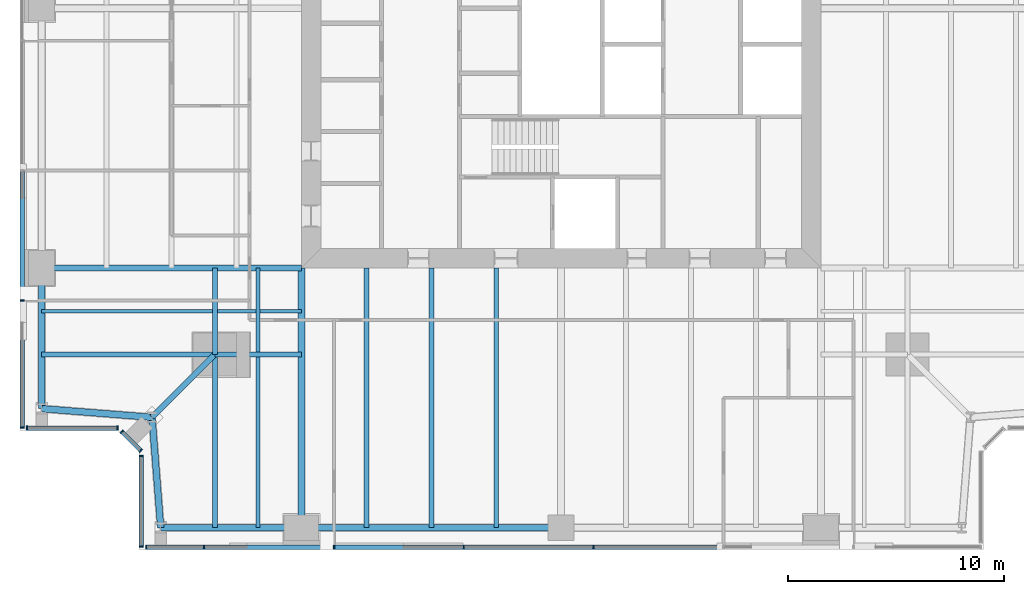
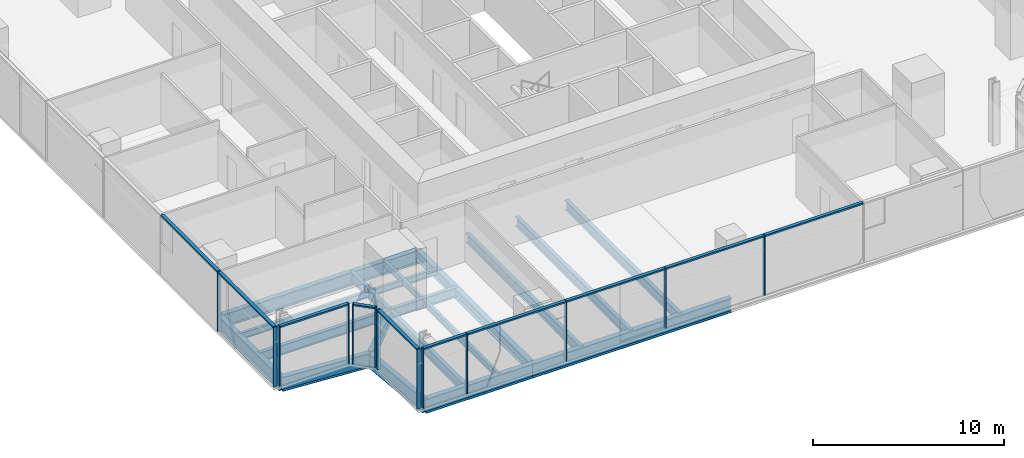
# One storey, part 2 of 14: 23 members, 20 beams, 5 elements without a shape of their own.
"""IFC4 building model written with IfcOpenShell, lengths in metres."""

from ifc_helpers import new_model, si_unit, direction, frame, origin, origin_2d, place, context, subcontext, project, spatial, rectangle, i_section, extrude, material, material_profile, profile_set, type_object, element, aggregate, save


model = new_model("IFC4")

# Units and contexts
model_context = context("Model", 3, precision=1e-05, world=origin(), true_north=direction((0.0, 1.0)))
body_context = subcontext(model_context, "Body", "Model", "MODEL_VIEW")
ifc_project = project(units=[si_unit("LENGTHUNIT", "METRE"), si_unit("AREAUNIT", "SQUARE_METRE"), si_unit("VOLUMEUNIT", "CUBIC_METRE"), si_unit("PLANEANGLEUNIT", "RADIAN"), si_unit("MASSUNIT", "GRAM", prefix="KILO")], contexts=[model_context])

# Site, building, storey
site_placement = place(None, origin())
site = spatial("IfcSite", under=ifc_project, at=site_placement, CompositionType="ELEMENT")
building_placement = place(site_placement, origin())
building = spatial("IfcBuilding", under=site, at=building_placement, Name="Fenwick Lantern Interchange", CompositionType="ELEMENT")
storey_placement = place(building_placement, frame((0.0, 0.0, 197.800048828125)))
storey = spatial("IfcBuildingStorey", under=building, at=storey_placement, Name="L46", CompositionType="ELEMENT", Elevation=197.800048828125)

# Beams
ifc_material_1 = material(Name="Steel ASTM A992 Grade 50", Category="steel")
ifc_material_profile_1 = material_profile(ifc_material_1, i_section(OverallWidth=0.3046875, OverallDepth=0.911865234375, WebThickness=0.015869140625, FlangeThickness=0.02392578125, at=origin_2d()), Name="W36X150")
ifc_profile_set_1 = profile_set([ifc_material_profile_1], Name="Steel ASTM A992 Grade 50")
beam_type_1 = type_object("IfcBeamType", Name="EDGE BEAM W36X150", PredefinedType="SPANDREL", material=ifc_profile_set_1)
beam_1_placement = place(storey_placement, frame((6.5, 1.0, -0.60595703125), z_axis=(1.0, 0.0, 0.0), x_axis=(0.0, 1.0, 0.0)))
element("IfcBeam", 1, at=beam_1_placement, inside=storey, type_object=beam_type_1, Name="L46/FR/S/EB1", PredefinedType="SPANDREL", context=body_context, shape_type="SweptSolid", body=[
    extrude(i_section(OverallWidth=0.3046875, OverallDepth=0.911865234375, WebThickness=0.015869140625, FlangeThickness=0.02392578125, at=origin_2d()), origin(), (0.0, 0.0, 1.0), 6.5),
])
beam_2_placement = place(storey_placement, frame((13.0, 1.0, -0.60595703125), z_axis=(1.0, 0.0, 0.0), x_axis=(0.0, 1.0, 0.0)))
element("IfcBeam", 2, at=beam_2_placement, inside=storey, type_object=beam_type_1, Name="L46/FR/S/EB2", PredefinedType="SPANDREL", context=body_context, shape_type="SweptSolid", body=[
    extrude(i_section(OverallWidth=0.3046875, OverallDepth=0.911865234375, WebThickness=0.015869140625, FlangeThickness=0.02392578125, at=origin_2d()), origin(), (0.0, 0.0, 1.0), 12.0),
])
beam_3_placement = place(storey_placement, frame((1.0, 13.0, -0.60595703125), z_axis=(0.0, -1.0, 0.0), x_axis=(1.0, 0.0, 0.0)))
element("IfcBeam", 3, at=beam_3_placement, inside=storey, type_object=beam_type_1, Name="L46/FR/W/EB4", PredefinedType="SPANDREL", context=body_context, shape_type="SweptSolid", body=[
    extrude(i_section(OverallWidth=0.3046875, OverallDepth=0.911865234375, WebThickness=0.015869140625, FlangeThickness=0.02392578125, at=origin_2d()), origin(), (0.0, 0.0, 1.0), 6.5),
])
for number, where, z_axis, x_axis, name in (
    (4, (1.0, 6.5, -0.60595703125), (0.99693998236, -0.078170784639, 0.0), (0.078170784639, 0.99693998236, 0.0), "L46/FR/W/EBR1"),
    (5, (6.10009765625, 6.10009765625, -0.60595703125), (0.078170784639, -0.99693998236, 0.0), (0.99693998236, 0.078170784639, 0.0), "L46/FR/W/EBR2"),
):
    element("IfcBeam", number, at=place(storey_placement, frame(where, z_axis=z_axis, x_axis=x_axis)), inside=storey, type_object=beam_type_1, Name=name, PredefinedType="SPANDREL", context=body_context, shape_type="SweptSolid", body=[
        extrude(i_section(OverallWidth=0.3046875, OverallDepth=0.911865234375, WebThickness=0.015869140625, FlangeThickness=0.02392578125, at=origin_2d()), origin(), (0.0, 0.0, 1.0), 5.11572265625),
    ])
ifc_material_profile_2 = material_profile(ifc_material_1, i_section(OverallWidth=0.22900390625, OverallDepth=0.612060546875, WebThickness=0.011962890625, FlangeThickness=0.01953125, at=origin_2d()), Name="W24X84")
ifc_profile_set_2 = profile_set([ifc_material_profile_2], Name="Steel ASTM A992 Grade 50")
beam_type_2 = type_object("IfcBeamType", Name="FLOOR BEAM W24X84", PredefinedType="BEAM", material=ifc_profile_set_2)
for number, where, z_axis, x_axis, name in (
    (6, (16.0, 1.0, -0.4560546875), (0.0, 1.0, 0.0), (-1.0, 0.0, 0.0), "L46/FR/S/R02"),
    (7, (19.0, 1.0, -0.4560546875), (0.0, 1.0, 0.0), (-1.0, 0.0, 0.0), "L46/FR/S/R03"),
    (8, (22.0, 1.0, -0.4560546875), (0.0, 1.0, 0.0), (-1.0, 0.0, 0.0), "L46/FR/S/R04"),
):
    element("IfcBeam", number, at=place(storey_placement, frame(where, z_axis=z_axis, x_axis=x_axis)), inside=storey, type_object=beam_type_2, Name=name, PredefinedType="BEAM", context=body_context, shape_type="SweptSolid", body=[
        extrude(i_section(OverallWidth=0.22900390625, OverallDepth=0.612060546875, WebThickness=0.011962890625, FlangeThickness=0.01953125, at=origin_2d()), origin(), (0.0, 0.0, 1.0), 12.0),
    ])
ifc_material_profile_3 = material_profile(ifc_material_1, i_section(OverallWidth=0.177734375, OverallDepth=0.406494140625, WebThickness=0.0078125, FlangeThickness=0.012939453125, at=origin_2d()), Name="W16X40")
ifc_profile_set_3 = profile_set([ifc_material_profile_3], Name="Steel ASTM A992 Grade 50")
beam_type_3 = type_object("IfcBeamType", Name="INFILL BEAM W16X40", PredefinedType="JOIST", material=ifc_profile_set_3)
beam_4_placement = place(storey_placement, frame((11.0, 1.0, -0.353271484375), z_axis=(0.0, 1.0, 0.0), x_axis=(-1.0, 0.0, 0.0)))
element("IfcBeam", 9, at=beam_4_placement, inside=storey, type_object=beam_type_3, Name="L46/FR/S/J1", PredefinedType="JOIST", context=body_context, shape_type="SweptSolid", body=[
    extrude(i_section(OverallWidth=0.177734375, OverallDepth=0.406494140625, WebThickness=0.0078125, FlangeThickness=0.012939453125, at=origin_2d()), origin(), (0.0, 0.0, 1.0), 7.885498046875),
])
beam_5_placement = place(storey_placement, frame((11.0, 9.114501953125, -0.353271484375), z_axis=(0.0, 1.0, 0.0), x_axis=(-1.0, 0.0, 0.0)))
element("IfcBeam", 10, at=beam_5_placement, inside=storey, type_object=beam_type_3, Name="L46/FR/S/J2", PredefinedType="JOIST", context=body_context, shape_type="SweptSolid", body=[
    extrude(i_section(OverallWidth=0.177734375, OverallDepth=0.406494140625, WebThickness=0.0078125, FlangeThickness=0.012939453125, at=origin_2d()), origin(), (0.0, 0.0, 1.0), 3.885498046875),
])
beam_6_placement = place(storey_placement, frame((1.0, 11.0, -0.353271484375), z_axis=(1.0, 0.0, 0.0), x_axis=(0.0, 1.0, 0.0)))
element("IfcBeam", 11, at=beam_6_placement, inside=storey, type_object=beam_type_3, Name="L46/FR/S/J3", PredefinedType="JOIST", context=body_context, shape_type="SweptSolid", body=[
    extrude(i_section(OverallWidth=0.177734375, OverallDepth=0.406494140625, WebThickness=0.0078125, FlangeThickness=0.012939453125, at=origin_2d()), origin(), (0.0, 0.0, 1.0), 7.885498046875),
])
beam_7_placement = place(storey_placement, frame((9.114501953125, 11.0, -0.353271484375), z_axis=(1.0, 0.0, 0.0), x_axis=(0.0, 1.0, 0.0)))
element("IfcBeam", 12, at=beam_7_placement, inside=storey, type_object=beam_type_3, Name="L46/FR/S/J4", PredefinedType="JOIST", context=body_context, shape_type="SweptSolid", body=[
    extrude(i_section(OverallWidth=0.177734375, OverallDepth=0.406494140625, WebThickness=0.0078125, FlangeThickness=0.012939453125, at=origin_2d()), origin(), (0.0, 0.0, 1.0), 1.796630859375),
])
beam_8_placement = place(storey_placement, frame((11.0888671875, 11.0, -0.353271484375), z_axis=(1.0, 0.0, 0.0), x_axis=(0.0, 1.0, 0.0)))
element("IfcBeam", 13, at=beam_8_placement, inside=storey, type_object=beam_type_3, Name="L46/FR/S/J5", PredefinedType="JOIST", context=body_context, shape_type="SweptSolid", body=[
    extrude(i_section(OverallWidth=0.177734375, OverallDepth=0.406494140625, WebThickness=0.0078125, FlangeThickness=0.012939453125, at=origin_2d()), origin(), (0.0, 0.0, 1.0), 1.9111328125),
])
ifc_material_profile_4 = material_profile(ifc_material_1, i_section(OverallWidth=0.22900390625, OverallDepth=0.612060546875, WebThickness=0.011962890625, FlangeThickness=0.01953125, at=origin_2d()), Name="W24X84")
ifc_profile_set_4 = profile_set([ifc_material_profile_4], Name="Steel ASTM A992 Grade 50")
beam_type_4 = type_object("IfcBeamType", Name="MEGA COLUMN BEAM W24X84", PredefinedType="BEAM", material=ifc_profile_set_4)
for number, where, z_axis, x_axis, name in (
    (14, (9.0, 9.0, -0.4560546875), (0.0, -1.0, 0.0), (1.0, 0.0, 0.0), "L46/FR/S/MB1"),
    (15, (9.0, 9.0, -0.4560546875), (-1.0, 0.0, 0.0), (0.0, -1.0, 0.0), "L46/FR/S/MB2"),
):
    element("IfcBeam", number, at=place(storey_placement, frame(where, z_axis=z_axis, x_axis=x_axis)), inside=storey, type_object=beam_type_4, Name=name, PredefinedType="BEAM", context=body_context, shape_type="SweptSolid", body=[
        extrude(i_section(OverallWidth=0.22900390625, OverallDepth=0.612060546875, WebThickness=0.011962890625, FlangeThickness=0.01953125, at=origin_2d()), origin(), (0.0, 0.0, 1.0), 8.0),
    ])
for number, where, z_axis, x_axis, name in (
    (16, (9.0, 9.0, -0.4560546875), (1.0, 0.0, 0.0), (0.0, 1.0, 0.0), "L46/FR/S/MB3"),
    (17, (9.0, 9.0, -0.4560546875), (0.0, 1.0, 0.0), (-1.0, 0.0, 0.0), "L46/FR/S/MB4"),
):
    element("IfcBeam", number, at=place(storey_placement, frame(where, z_axis=z_axis, x_axis=x_axis)), inside=storey, type_object=beam_type_4, Name=name, PredefinedType="BEAM", context=body_context, shape_type="SweptSolid", body=[
        extrude(i_section(OverallWidth=0.22900390625, OverallDepth=0.612060546875, WebThickness=0.011962890625, FlangeThickness=0.01953125, at=origin_2d()), origin(), (0.0, 0.0, 1.0), 4.0),
    ])
ifc_material_profile_5 = material_profile(ifc_material_1, i_section(OverallWidth=0.32763671875, OverallDepth=0.622314453125, WebThickness=0.015380859375, FlangeThickness=0.0244140625, at=origin_2d()), Name="W24X131")
ifc_profile_set_5 = profile_set([ifc_material_profile_5], Name="Steel ASTM A992 Grade 50")
beam_type_5 = type_object("IfcBeamType", Name="MOMENT-CONNECTED GIRDER W24X131", PredefinedType="BEAM", material=ifc_profile_set_5)
beam_9_placement = place(storey_placement, frame((13.0, 1.0, -0.461181640625), z_axis=(0.0, 1.0, 0.0), x_axis=(-1.0, 0.0, 0.0)))
element("IfcBeam", 18, at=beam_9_placement, inside=storey, type_object=beam_type_5, Name="L46/FR/S/R01", PredefinedType="BEAM", context=body_context, shape_type="SweptSolid", body=[
    extrude(i_section(OverallWidth=0.32763671875, OverallDepth=0.622314453125, WebThickness=0.015380859375, FlangeThickness=0.0244140625, at=origin_2d()), origin(), (0.0, 0.0, 1.0), 12.0),
])
ifc_material_profile_6 = material_profile(ifc_material_1, i_section(OverallWidth=0.2919921875, OverallDepth=0.845703125, WebThickness=0.015380859375, FlangeThickness=0.0244140625, at=origin_2d()), Name="W33X141")
ifc_profile_set_6 = profile_set([ifc_material_profile_6], Name="Steel ASTM A992 Grade 50")
beam_type_6 = type_object("IfcBeamType", Name="MOMENT-CONNECTED GIRDER W33X141", PredefinedType="BEAM", material=ifc_profile_set_6)
beam_10_placement = place(storey_placement, frame((1.0, 13.0, -0.572998046875), z_axis=(1.0, 0.0, 0.0), x_axis=(0.0, 1.0, 0.0)))
element("IfcBeam", 19, at=beam_10_placement, inside=storey, type_object=beam_type_6, Name="L46/FR/W/R03", PredefinedType="BEAM", context=body_context, shape_type="SweptSolid", body=[
    extrude(i_section(OverallWidth=0.2919921875, OverallDepth=0.845703125, WebThickness=0.015380859375, FlangeThickness=0.0244140625, at=origin_2d()), origin(), (0.0, 0.0, 1.0), 12.0),
])
ifc_material_profile_7 = material_profile(ifc_material_1, i_section(OverallWidth=0.2666015625, OverallDepth=0.7568359375, WebThickness=0.013916015625, FlangeThickness=0.019287109375, at=origin_2d()), Name="W30X108")
ifc_profile_set_7 = profile_set([ifc_material_profile_7], Name="Steel ASTM A992 Grade 50")
beam_type_7 = type_object("IfcBeamType", Name="NOTCH BEAM W30X108", PredefinedType="BEAM", material=ifc_profile_set_7)
beam_11_placement = place(storey_placement, frame((9.0, 9.0, -0.528564453125), z_axis=(-0.707106781187, -0.707106781187, 0.0), x_axis=(0.707106781187, -0.707106781187, 0.0)))
element("IfcBeam", 20, at=beam_11_placement, inside=storey, type_object=beam_type_7, Name="L46/FR/S/TG", PredefinedType="BEAM", context=body_context, shape_type="SweptSolid", body=[
    extrude(i_section(OverallWidth=0.2666015625, OverallDepth=0.7568359375, WebThickness=0.013916015625, FlangeThickness=0.019287109375, at=origin_2d()), origin(), (0.0, 0.0, 1.0), 4.10107421875),
])

# Curtain wall, members
ifc_material_2 = material(Name="Aluminium curtain wall frame", Category="aluminium")
curtain_wall_type = type_object("IfcCurtainWallType", Name="OFFICE CURTAIN WALL", PredefinedType="USERDEFINED", material=ifc_material_2)
curtain_wall_1_placement = place(storey_placement, origin())
curtain_wall_1 = element("IfcCurtainWall", 21, at=curtain_wall_1_placement, inside=storey, type_object=curtain_wall_type, Name="Office curtain wall 01", ObjectType="OFFICE CURTAIN WALL", PredefinedType="USERDEFINED")
ifc_material_3 = material(Name="Aluminium extrusion", Category="aluminium")
ifc_material_profile_8 = material_profile(ifc_material_3, rectangle(XDim=0.199951171875, YDim=0.06494140625, at=origin_2d()), Name="OFFICE CURTAIN WALL MULLION 65 X 200")
ifc_profile_set_8 = profile_set([ifc_material_profile_8], Name="Aluminium extrusion")
member_type_1 = type_object("IfcMemberType", Name="OFFICE CURTAIN WALL MULLION 65 X 200", PredefinedType="MULLION", material=ifc_profile_set_8)
member_1_placement = place(storey_placement, frame((5.83251953125, 0.10009765625, 0.0), z_axis=(0.0, 0.0, 1.0), x_axis=(0.0, 1.0, 0.0)))
member_1 = element("IfcMember", 22, at=member_1_placement, type_object=member_type_1, Name="L46/CW/01/M00", PredefinedType="MULLION", context=body_context, shape_type="SweptSolid", body=[
    extrude(rectangle(XDim=0.199951171875, YDim=0.06494140625, at=origin_2d()), origin(), (0.0, 0.0, 1.0), 3.849853515625),
])
member_2_placement = place(storey_placement, frame((8.5, 0.10009765625, 0.0), z_axis=(0.0, 0.0, 1.0), x_axis=(0.0, 1.0, 0.0)))
member_2 = element("IfcMember", 23, at=member_2_placement, type_object=member_type_1, Name="L46/CW/01/M01", PredefinedType="MULLION", context=body_context, shape_type="SweptSolid", body=[
    extrude(rectangle(XDim=0.199951171875, YDim=0.06494140625, at=origin_2d()), origin(), (0.0, 0.0, 1.0), 3.849853515625),
])
member_3_placement = place(storey_placement, frame((14.5, 0.10009765625, 0.0), z_axis=(0.0, 0.0, 1.0), x_axis=(0.0, 1.0, 0.0)))
member_3 = element("IfcMember", 24, at=member_3_placement, type_object=member_type_1, Name="L46/CW/01/M02", PredefinedType="MULLION", context=body_context, shape_type="SweptSolid", body=[
    extrude(rectangle(XDim=0.199951171875, YDim=0.06494140625, at=origin_2d()), origin(), (0.0, 0.0, 1.0), 3.849853515625),
])
member_4_placement = place(storey_placement, frame((20.5, 0.10009765625, 0.0), z_axis=(0.0, 0.0, 1.0), x_axis=(0.0, 1.0, 0.0)))
member_4 = element("IfcMember", 25, at=member_4_placement, type_object=member_type_1, Name="L46/CW/01/M03", PredefinedType="MULLION", context=body_context, shape_type="SweptSolid", body=[
    extrude(rectangle(XDim=0.199951171875, YDim=0.06494140625, at=origin_2d()), origin(), (0.0, 0.0, 1.0), 3.849853515625),
])
member_5_placement = place(storey_placement, frame((26.5, 0.10009765625, 0.0), z_axis=(0.0, 0.0, 1.0), x_axis=(0.0, 1.0, 0.0)))
member_5 = element("IfcMember", 26, at=member_5_placement, type_object=member_type_1, Name="L46/CW/01/M04", PredefinedType="MULLION", context=body_context, shape_type="SweptSolid", body=[
    extrude(rectangle(XDim=0.199951171875, YDim=0.06494140625, at=origin_2d()), origin(), (0.0, 0.0, 1.0), 3.849853515625),
])

curtain_wall_2_placement = place(storey_placement, origin())
curtain_wall_2 = element("IfcCurtainWall", 27, at=curtain_wall_2_placement, inside=storey, type_object=curtain_wall_type, Name="Office curtain wall 13", ObjectType="OFFICE CURTAIN WALL", PredefinedType="USERDEFINED")
member_6_placement = place(storey_placement, frame((0.10009765625, 11.5, 0.0), z_axis=(0.0, 0.0, 1.0), x_axis=(1.0, 0.0, 0.0)))
member_6 = element("IfcMember", 28, at=member_6_placement, type_object=member_type_1, Name="L46/CW/13/M06", PredefinedType="MULLION", context=body_context, shape_type="SweptSolid", body=[
    extrude(rectangle(XDim=0.199951171875, YDim=0.06494140625, at=origin_2d()), origin(), (0.0, 0.0, 1.0), 3.849853515625),
])
member_7_placement = place(storey_placement, frame((0.10009765625, 5.632568359375, 0.0), z_axis=(0.0, 0.0, 1.0), x_axis=(1.0, 0.0, 0.0)))
member_7 = element("IfcMember", 29, at=member_7_placement, type_object=member_type_1, Name="L46/CW/13/M07", PredefinedType="MULLION", context=body_context, shape_type="SweptSolid", body=[
    extrude(rectangle(XDim=0.199951171875, YDim=0.06494140625, at=origin_2d()), origin(), (0.0, 0.0, 1.0), 3.849853515625),
])

curtain_wall_3_placement = place(storey_placement, origin())
curtain_wall_3 = element("IfcCurtainWall", 30, at=curtain_wall_3_placement, inside=storey, type_object=curtain_wall_type, Name="Office curtain wall 14", ObjectType="OFFICE CURTAIN WALL", PredefinedType="USERDEFINED")
member_8_placement = place(storey_placement, frame((0.33251953125, 5.60009765625, 0.0), z_axis=(0.0, 0.0, 1.0), x_axis=(0.0, 1.0, 0.0)))
member_8 = element("IfcMember", 31, at=member_8_placement, type_object=member_type_1, Name="L46/CW/14/M00", PredefinedType="MULLION", context=body_context, shape_type="SweptSolid", body=[
    extrude(rectangle(XDim=0.199951171875, YDim=0.06494140625, at=origin_2d()), origin(), (0.0, 0.0, 1.0), 3.849853515625),
])
member_9_placement = place(storey_placement, frame((4.509033203125, 5.60009765625, 0.0), z_axis=(0.0, 0.0, 1.0), x_axis=(0.0, 1.0, 0.0)))
member_9 = element("IfcMember", 32, at=member_9_placement, type_object=member_type_1, Name="L46/CW/14/M01", PredefinedType="MULLION", context=body_context, shape_type="SweptSolid", body=[
    extrude(rectangle(XDim=0.199951171875, YDim=0.06494140625, at=origin_2d()), origin(), (0.0, 0.0, 1.0), 3.849853515625),
])

curtain_wall_4_placement = place(storey_placement, origin())
curtain_wall_4 = element("IfcCurtainWall", 33, at=curtain_wall_4_placement, inside=storey, type_object=curtain_wall_type, Name="Office curtain wall 15", ObjectType="OFFICE CURTAIN WALL", PredefinedType="USERDEFINED")
member_10_placement = place(storey_placement, frame((4.705810546875, 5.435546875, 0.0), z_axis=(0.0, 0.0, 1.0), x_axis=(0.707106781187, 0.707106781187, 0.0)))
member_10 = element("IfcMember", 34, at=member_10_placement, type_object=member_type_1, Name="L46/CW/15/M00", PredefinedType="MULLION", context=body_context, shape_type="SweptSolid", body=[
    extrude(rectangle(XDim=0.199951171875, YDim=0.06494140625, at=origin_2d()), origin(), (0.0, 0.0, 1.0), 3.849853515625),
])
member_11_placement = place(storey_placement, frame((5.576904296875, 4.564453125, 0.0), z_axis=(0.0, 0.0, 1.0), x_axis=(0.707106781187, 0.707106781187, 0.0)))
member_11 = element("IfcMember", 35, at=member_11_placement, type_object=member_type_1, Name="L46/CW/15/M01", PredefinedType="MULLION", context=body_context, shape_type="SweptSolid", body=[
    extrude(rectangle(XDim=0.199951171875, YDim=0.06494140625, at=origin_2d()), origin(), (0.0, 0.0, 1.0), 3.849853515625),
])

curtain_wall_5_placement = place(storey_placement, origin())
curtain_wall_5 = element("IfcCurtainWall", 36, at=curtain_wall_5_placement, inside=storey, type_object=curtain_wall_type, Name="Office curtain wall 16", ObjectType="OFFICE CURTAIN WALL", PredefinedType="USERDEFINED")
member_12_placement = place(storey_placement, frame((5.60009765625, 4.308837890625, 0.0), z_axis=(0.0, 0.0, 1.0), x_axis=(1.0, 0.0, 0.0)))
member_12 = element("IfcMember", 37, at=member_12_placement, type_object=member_type_1, Name="L46/CW/16/M00", PredefinedType="MULLION", context=body_context, shape_type="SweptSolid", body=[
    extrude(rectangle(XDim=0.199951171875, YDim=0.06494140625, at=origin_2d()), origin(), (0.0, 0.0, 1.0), 3.849853515625),
])
member_13_placement = place(storey_placement, frame((5.60009765625, 0.132568359375, 0.0), z_axis=(0.0, 0.0, 1.0), x_axis=(1.0, 0.0, 0.0)))
member_13 = element("IfcMember", 38, at=member_13_placement, type_object=member_type_1, Name="L46/CW/16/M01", PredefinedType="MULLION", context=body_context, shape_type="SweptSolid", body=[
    extrude(rectangle(XDim=0.199951171875, YDim=0.06494140625, at=origin_2d()), origin(), (0.0, 0.0, 1.0), 3.849853515625),
])

# Member
ifc_material_profile_9 = material_profile(ifc_material_3, rectangle(XDim=0.199951171875, YDim=0.10009765625, at=origin_2d()), Name="OFFICE CURTAIN WALL TRANSOM 100 X 200")
ifc_profile_set_9 = profile_set([ifc_material_profile_9], Name="Aluminium extrusion")
member_type_2 = type_object("IfcMemberType", Name="OFFICE CURTAIN WALL TRANSOM 100 X 200", PredefinedType="MULLION", material=ifc_profile_set_9)
member_14_placement = place(storey_placement, frame((5.864990234375, 0.10009765625, 3.800048828125), z_axis=(1.0, 0.0, 0.0), x_axis=(0.0, 1.0, 0.0)))
member_14 = element("IfcMember", 39, at=member_14_placement, type_object=member_type_2, Name="L46/CW/01/T00", PredefinedType="MULLION", context=body_context, shape_type="SweptSolid", body=[
    extrude(rectangle(XDim=0.199951171875, YDim=0.10009765625, at=origin_2d()), origin(), (0.0, 0.0, 1.0), 2.6025390625),
])

member_15_placement = place(storey_placement, frame((8.532470703125, 0.10009765625, 3.800048828125), z_axis=(1.0, 0.0, 0.0), x_axis=(0.0, 1.0, 0.0)))
member_15 = element("IfcMember", 40, at=member_15_placement, type_object=member_type_2, Name="L46/CW/01/T01", PredefinedType="MULLION", context=body_context, shape_type="SweptSolid", body=[
    extrude(rectangle(XDim=0.199951171875, YDim=0.10009765625, at=origin_2d()), origin(), (0.0, 0.0, 1.0), 5.93505859375),
])

member_16_placement = place(storey_placement, frame((14.532470703125, 0.10009765625, 3.800048828125), z_axis=(1.0, 0.0, 0.0), x_axis=(0.0, 1.0, 0.0)))
member_16 = element("IfcMember", 41, at=member_16_placement, type_object=member_type_2, Name="L46/CW/01/T02", PredefinedType="MULLION", context=body_context, shape_type="SweptSolid", body=[
    extrude(rectangle(XDim=0.199951171875, YDim=0.10009765625, at=origin_2d()), origin(), (0.0, 0.0, 1.0), 5.93505859375),
])

member_17_placement = place(storey_placement, frame((20.532470703125, 0.10009765625, 3.800048828125), z_axis=(1.0, 0.0, 0.0), x_axis=(0.0, 1.0, 0.0)))
member_17 = element("IfcMember", 42, at=member_17_placement, type_object=member_type_2, Name="L46/CW/01/T03", PredefinedType="MULLION", context=body_context, shape_type="SweptSolid", body=[
    extrude(rectangle(XDim=0.199951171875, YDim=0.10009765625, at=origin_2d()), origin(), (0.0, 0.0, 1.0), 5.93505859375),
])

member_18_placement = place(storey_placement, frame((26.532470703125, 0.10009765625, 3.800048828125), z_axis=(1.0, 0.0, 0.0), x_axis=(0.0, 1.0, 0.0)))
member_18 = element("IfcMember", 43, at=member_18_placement, type_object=member_type_2, Name="L46/CW/01/T04", PredefinedType="MULLION", context=body_context, shape_type="SweptSolid", body=[
    extrude(rectangle(XDim=0.199951171875, YDim=0.10009765625, at=origin_2d()), origin(), (0.0, 0.0, 1.0), 5.93505859375),
])

aggregate(curtain_wall_1, [member_1, member_2, member_3, member_4, member_5, member_14, member_15, member_16, member_17, member_18])

member_19_placement = place(storey_placement, frame((0.10009765625, 17.467529296875, 3.800048828125), z_axis=(0.0, -1.0, 0.0), x_axis=(1.0, 0.0, 0.0)))
member_19 = element("IfcMember", 44, at=member_19_placement, type_object=member_type_2, Name="L46/CW/13/T05", PredefinedType="MULLION", context=body_context, shape_type="SweptSolid", body=[
    extrude(rectangle(XDim=0.199951171875, YDim=0.10009765625, at=origin_2d()), origin(), (0.0, 0.0, 1.0), 5.93505859375),
])

member_20_placement = place(storey_placement, frame((0.10009765625, 11.467529296875, 3.800048828125), z_axis=(0.0, -1.0, 0.0), x_axis=(1.0, 0.0, 0.0)))
member_20 = element("IfcMember", 45, at=member_20_placement, type_object=member_type_2, Name="L46/CW/13/T06", PredefinedType="MULLION", context=body_context, shape_type="SweptSolid", body=[
    extrude(rectangle(XDim=0.199951171875, YDim=0.10009765625, at=origin_2d()), origin(), (0.0, 0.0, 1.0), 5.802490234375),
])

aggregate(curtain_wall_2, [member_6, member_7, member_19, member_20])

member_21_placement = place(storey_placement, frame((0.364990234375, 5.60009765625, 3.800048828125), z_axis=(1.0, 0.0, 0.0), x_axis=(0.0, 1.0, 0.0)))
member_21 = element("IfcMember", 46, at=member_21_placement, type_object=member_type_2, Name="L46/CW/14/T00", PredefinedType="MULLION", context=body_context, shape_type="SweptSolid", body=[
    extrude(rectangle(XDim=0.199951171875, YDim=0.10009765625, at=origin_2d()), origin(), (0.0, 0.0, 1.0), 4.111328125),
])

aggregate(curtain_wall_3, [member_8, member_9, member_21])

member_22_placement = place(storey_placement, frame((4.728759765625, 5.41259765625, 3.800048828125), z_axis=(0.707106781187, -0.707106781187, 0.0), x_axis=(0.707106781187, 0.707106781187, 0.0)))
member_22 = element("IfcMember", 47, at=member_22_placement, type_object=member_type_2, Name="L46/CW/15/T00", PredefinedType="MULLION", context=body_context, shape_type="SweptSolid", body=[
    extrude(rectangle(XDim=0.199951171875, YDim=0.10009765625, at=origin_2d()), origin(), (0.0, 0.0, 1.0), 1.1669921875),
])

aggregate(curtain_wall_4, [member_10, member_11, member_22])

member_23_placement = place(storey_placement, frame((5.60009765625, 4.2763671875, 3.800048828125), z_axis=(0.0, -1.0, 0.0), x_axis=(1.0, 0.0, 0.0)))
member_23 = element("IfcMember", 48, at=member_23_placement, type_object=member_type_2, Name="L46/CW/16/T00", PredefinedType="MULLION", context=body_context, shape_type="SweptSolid", body=[
    extrude(rectangle(XDim=0.199951171875, YDim=0.10009765625, at=origin_2d()), origin(), (0.0, 0.0, 1.0), 4.111328125),
])

aggregate(curtain_wall_5, [member_12, member_13, member_23])

save(model, "model.ifc")
